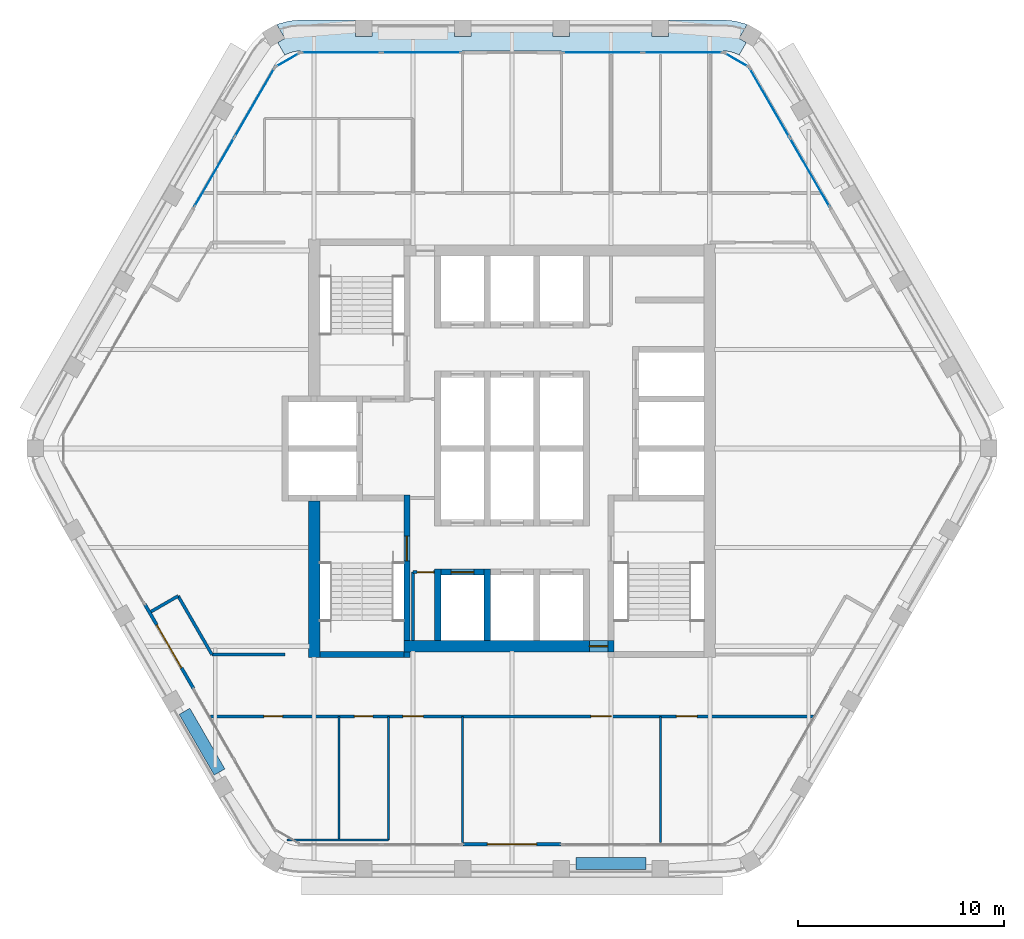
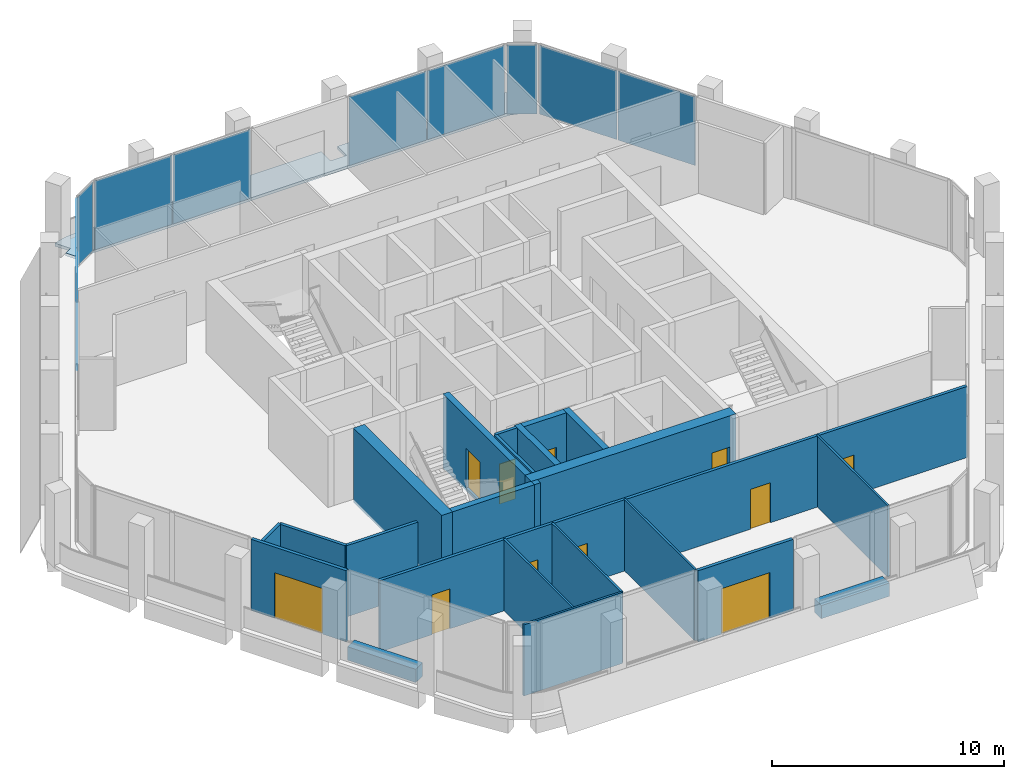
# One storey, part 7 of 13: 23 walls, 11 doors, 10 plates, 1 slab, 11 openings, 6 elements without a shape of their own.
"""IFC4 building model written with IfcOpenShell, lengths in metres."""

from ifc_helpers import new_model, si_unit, direction, frame, frame_2d, origin, origin_2d, place, context, subcontext, project, spatial, polyline, rectangle, outline, extrude, material, layer, layer_set, type_object, element, fill, aggregate, save


model = new_model("IFC4")

# Units and contexts
model_context = context("Model", 3, precision=1e-05, world=origin(), true_north=direction((0.0, 1.0)))
body_context = subcontext(model_context, "Body", "Model", "MODEL_VIEW")
ifc_project = project(units=[si_unit("LENGTHUNIT", "METRE"), si_unit("AREAUNIT", "SQUARE_METRE"), si_unit("VOLUMEUNIT", "CUBIC_METRE"), si_unit("PLANEANGLEUNIT", "RADIAN"), si_unit("MASSUNIT", "GRAM", prefix="KILO")], contexts=[model_context])

# Site, building, storey
site_placement = place(None, origin())
site = spatial("IfcSite", under=ifc_project, at=site_placement, CompositionType="ELEMENT")
building_placement = place(site_placement, origin())
building = spatial("IfcBuilding", under=site, at=building_placement, Name="Kolab Exchange Tower", CompositionType="ELEMENT")
storey_placement = place(building_placement, frame((0.0, 0.0, 226.699951171875)))
storey = spatial("IfcBuildingStorey", under=building, at=storey_placement, Name="L49", CompositionType="ELEMENT", Elevation=226.699951171875)

# Slab
ifc_material_1 = material(Name="Concrete C35/45", Category="concrete")
ifc_layer_1 = layer(ifc_material_1, 0.14990234375)
ifc_layer_set_1 = layer_set([ifc_layer_1], Name="Concrete C35/45")
slab_type = type_object("IfcSlabType", Name="LOGGIA SLAB 150", PredefinedType="FLOOR", material=ifc_layer_set_1)
slab_placement = place(storey_placement, frame((0.0, 0.0, -0.14990234375)))
element("IfcSlab", 1, at=slab_placement, inside=storey, type_object=slab_type, Name="slab/L49/loggia/0-0", PredefinedType="FLOOR", context=body_context, shape_type="SweptSolid", body=[
    extrude(outline(polyline([(11.01806640625, 19.083740234375), (11.367919921875, 19.68994140625), (11.021484375, 19.889892578125), (11.404052734375, 20.552490234375), (11.2939453125, 20.603759765625), (10.788818359375, 20.739013671875), (10.26806640625, 20.78466796875), (7.60009765625, 20.78466796875), (7.60009765625, 19.984619140625), (6.800048828125, 19.984619140625), (6.800048828125, 20.78466796875), (2.800048828125, 20.78466796875), (2.800048828125, 19.984619140625), (2.0, 19.984619140625), (2.0, 20.78466796875), (-2.0, 20.78466796875), (-2.0, 19.984619140625), (-2.800048828125, 19.984619140625), (-2.800048828125, 20.78466796875), (-6.800048828125, 20.78466796875), (-6.800048828125, 19.984619140625), (-7.60009765625, 19.984619140625), (-7.60009765625, 20.78466796875), (-10.26806640625, 20.78466796875), (-10.788818359375, 20.739013671875), (-11.2939453125, 20.603759765625), (-11.404052734375, 20.552490234375), (-11.021484375, 19.889892578125), (-11.367919921875, 19.68994140625), (-11.01806640625, 19.083740234375), (-10.781005859375, 19.194091796875), (-10.5283203125, 19.26171875), (-10.26806640625, 19.28466796875), (10.26806640625, 19.28466796875), (10.5283203125, 19.26171875), (10.781005859375, 19.194091796875), (11.01806640625, 19.083740234375)])), origin(), (0.0, 0.0, 1.0), 0.14990234375),
])

# Curtain wall, plates
ifc_material_2 = material(Name="Aluminium EN AW-6063 T6", Category="aluminium")
curtain_wall_type = type_object("IfcCurtainWallType", Name="UNITISED HIGH ZONE CURTAIN WALL", PredefinedType="NOTDEFINED", material=ifc_material_2)
curtain_wall_1_placement = place(storey_placement, origin())
curtain_wall_1 = element("IfcCurtainWall", 2, at=curtain_wall_1_placement, inside=storey, type_object=curtain_wall_type, Name="cw/L49/F1-1", PredefinedType="NOTDEFINED")
ifc_material_3 = material(Name="Clear insulated glazing unit", Category="glass")
ifc_layer_2 = layer(ifc_material_3, 0.030029296875)
ifc_layer_set_2 = layer_set([ifc_layer_2], Name="Clear insulated glazing unit")
plate_type = type_object("IfcPlateType", Name="UNITISED HIGH ZONE GLASS PANEL 30", PredefinedType="CURTAIN_PANEL", material=ifc_layer_set_2)
plate_1_placement = place(storey_placement, frame((-8.285888671875, 19.20458984375, 0.06005859375), z_axis=(0.0, 0.0, 1.0), x_axis=(1.0, 0.0, 0.0)))
plate_1 = element("IfcPlate", 3, at=plate_1_placement, type_object=plate_type, Name="CW4 panel 1.1", PredefinedType="CURTAIN_PANEL", context=body_context, shape_type="SweptSolid", body=[
    extrude(rectangle(XDim=3.843994140625, YDim=0.030029296875, at=origin_2d()), origin(), (0.0, 0.0, 1.0), 3.6298828125),
])
plate_2_placement = place(storey_placement, frame((-4.382080078125, 19.20458984375, 0.06005859375), z_axis=(0.0, 0.0, 1.0), x_axis=(1.0, 0.0, 0.0)))
plate_2 = element("IfcPlate", 4, at=plate_2_placement, type_object=plate_type, Name="CW4 panel 2.1", PredefinedType="CURTAIN_PANEL", context=body_context, shape_type="SweptSolid", body=[
    extrude(rectangle(XDim=3.843994140625, YDim=0.030029296875, at=origin_2d()), origin(), (0.0, 0.0, 1.0), 3.6298828125),
])
aggregate(curtain_wall_1, [plate_1, plate_2])

curtain_wall_2_placement = place(storey_placement, origin())
curtain_wall_2 = element("IfcCurtainWall", 5, at=curtain_wall_2_placement, inside=storey, type_object=curtain_wall_type, Name="cw/L49/F1-2", PredefinedType="NOTDEFINED")
plate_3_placement = place(storey_placement, frame((4.382080078125, 19.20458984375, 0.06005859375), z_axis=(0.0, 0.0, 1.0), x_axis=(1.0, 0.0, 0.0)))
plate_3 = element("IfcPlate", 6, at=plate_3_placement, type_object=plate_type, Name="CW4 panel 1.1", PredefinedType="CURTAIN_PANEL", context=body_context, shape_type="SweptSolid", body=[
    extrude(rectangle(XDim=3.843994140625, YDim=0.030029296875, at=origin_2d()), origin(), (0.0, 0.0, 1.0), 3.6298828125),
])
plate_4_placement = place(storey_placement, frame((8.285888671875, 19.20458984375, 0.06005859375), z_axis=(0.0, 0.0, 1.0), x_axis=(1.0, 0.0, 0.0)))
plate_4 = element("IfcPlate", 7, at=plate_4_placement, type_object=plate_type, Name="CW4 panel 2.1", PredefinedType="CURTAIN_PANEL", context=body_context, shape_type="SweptSolid", body=[
    extrude(rectangle(XDim=3.843994140625, YDim=0.030029296875, at=origin_2d()), origin(), (0.0, 0.0, 1.0), 3.6298828125),
])
aggregate(curtain_wall_2, [plate_3, plate_4])

curtain_wall_3_placement = place(storey_placement, origin())
curtain_wall_3 = element("IfcCurtainWall", 8, at=curtain_wall_3_placement, inside=storey, type_object=curtain_wall_type, Name="cw/L49/F2-1", PredefinedType="NOTDEFINED")
plate_5_placement = place(storey_placement, frame((12.48876953125, 16.778076171875, 0.06005859375), z_axis=(0.0, 0.0, 1.0), x_axis=(0.500000031681, -0.866025385493, 0.0)))
plate_5 = element("IfcPlate", 9, at=plate_5_placement, type_object=plate_type, Name="CW4 panel 1.1", PredefinedType="CURTAIN_PANEL", context=body_context, shape_type="SweptSolid", body=[
    extrude(rectangle(XDim=3.843994140625, YDim=0.030029296875, at=origin_2d()), origin(), (0.0, 0.0, 1.0), 3.6298828125),
])
plate_6_placement = place(storey_placement, frame((14.440673828125, 13.397216796875, 0.06005859375), z_axis=(0.0, 0.0, 1.0), x_axis=(0.500000031681, -0.866025385493, 0.0)))
plate_6 = element("IfcPlate", 10, at=plate_6_placement, type_object=plate_type, Name="CW4 panel 2.1", PredefinedType="CURTAIN_PANEL", context=body_context, shape_type="SweptSolid", body=[
    extrude(rectangle(XDim=3.843994140625, YDim=0.030029296875, at=origin_2d()), origin(), (0.0, 0.0, 1.0), 3.6298828125),
])
aggregate(curtain_wall_3, [plate_5, plate_6])

curtain_wall_4_placement = place(storey_placement, origin())
curtain_wall_4 = element("IfcCurtainWall", 11, at=curtain_wall_4_placement, inside=storey, type_object=curtain_wall_type, Name="cw/L49/F6-2", PredefinedType="NOTDEFINED")
plate_7_placement = place(storey_placement, frame((-14.440673828125, 13.397216796875, 0.06005859375), z_axis=(0.0, 0.0, 1.0), x_axis=(0.500000031681, 0.866025385493, 0.0)))
plate_7 = element("IfcPlate", 12, at=plate_7_placement, type_object=plate_type, Name="CW4 panel 1.1", PredefinedType="CURTAIN_PANEL", context=body_context, shape_type="SweptSolid", body=[
    extrude(rectangle(XDim=3.843994140625, YDim=0.030029296875, at=origin_2d()), origin(), (0.0, 0.0, 1.0), 3.6298828125),
])
plate_8_placement = place(storey_placement, frame((-12.48876953125, 16.778076171875, 0.06005859375), z_axis=(0.0, 0.0, 1.0), x_axis=(0.500000031681, 0.866025385493, 0.0)))
plate_8 = element("IfcPlate", 13, at=plate_8_placement, type_object=plate_type, Name="CW4 panel 2.1", PredefinedType="CURTAIN_PANEL", context=body_context, shape_type="SweptSolid", body=[
    extrude(rectangle(XDim=3.843994140625, YDim=0.030029296875, at=origin_2d()), origin(), (0.0, 0.0, 1.0), 3.6298828125),
])
aggregate(curtain_wall_4, [plate_7, plate_8])

# Curtain wall, plate
curtain_wall_5_placement = place(storey_placement, origin())
curtain_wall_5 = element("IfcCurtainWall", 14, at=curtain_wall_5_placement, inside=storey, type_object=curtain_wall_type, Name="cw/L49/F1F2-corner", PredefinedType="NOTDEFINED")
plate_9_placement = place(storey_placement, frame((10.8828125, 18.849609375, 0.06005859375), z_axis=(0.0, 0.0, 1.0), x_axis=(0.866025390869, -0.50000002237, 0.0)))
plate_9 = element("IfcPlate", 15, at=plate_9_placement, type_object=plate_type, Name="CW4 panel 1.1", PredefinedType="CURTAIN_PANEL", context=body_context, shape_type="SweptSolid", body=[
    extrude(rectangle(XDim=1.300048828125, YDim=0.030029296875, at=origin_2d()), origin(), (0.0, 0.0, 1.0), 3.6298828125),
])
aggregate(curtain_wall_5, [plate_9])

curtain_wall_6_placement = place(storey_placement, origin())
curtain_wall_6 = element("IfcCurtainWall", 16, at=curtain_wall_6_placement, inside=storey, type_object=curtain_wall_type, Name="cw/L49/F6F1-corner", PredefinedType="NOTDEFINED")
plate_10_placement = place(storey_placement, frame((-10.8828125, 18.849609375, 0.06005859375), z_axis=(0.0, 0.0, 1.0), x_axis=(0.866025390869, 0.50000002237, 0.0)))
plate_10 = element("IfcPlate", 17, at=plate_10_placement, type_object=plate_type, Name="CW4 panel 1.1", PredefinedType="CURTAIN_PANEL", context=body_context, shape_type="SweptSolid", body=[
    extrude(rectangle(XDim=1.300048828125, YDim=0.030029296875, at=origin_2d()), origin(), (0.0, 0.0, 1.0), 3.6298828125),
])
aggregate(curtain_wall_6, [plate_10])

# Wall, opening, door
ifc_material_4 = material(Name="Concrete C50/60", Category="concrete")
ifc_layer_3 = layer(ifc_material_4, 0.550048828125)
ifc_layer_set_3 = layer_set([ifc_layer_3], Name="Concrete C50/60")
wall_type_1 = type_object("IfcWallType", Name="CORE WALL 550 C50/60", PredefinedType="SHEAR", material=ifc_layer_set_3)
wall_1_placement = place(storey_placement, frame((-5.25, -9.60009765625, -0.14990234375), z_axis=(0.0, 0.0, 1.0), x_axis=(1.0, 0.0, 0.0)))
wall_1 = element("IfcWall", 18, at=wall_1_placement, inside=storey, type_object=wall_type_1, Name="wall/L49/core/002", PredefinedType="SHEAR", context=body_context, shape_type="SweptSolid", body=[
    extrude(rectangle(XDim=10.199951171875, YDim=0.550048828125, at=frame_2d((5.10009765625, 0.0))), origin(), (0.0, 0.0, 1.0), 3.89990234375),
])
opening_1_placement = place(wall_1_placement, frame((9.0, 0.0, 0.14990234375)))
opening_1 = element("IfcOpeningElement", 19, at=opening_1_placement, cuts=wall_1, Name="Opening D6-296", PredefinedType="OPENING", context=body_context, shape_type="SweptSolid", body=[
    extrude(rectangle(XDim=0.89990234375, YDim=2.10009765625, at=frame_2d((0.449951171875, 1.050048828125))), frame((0.0, 0.28515625, 0.0), z_axis=(0.0, -1.0, 0.0), x_axis=(1.0, 0.0, 0.0)), (0.0, 0.0, 1.0), 0.570068359375),
])
ifc_material_5 = material(Name="Steel S235", Category="steel")
door_type_1 = type_object("IfcDoorType", Name="CORE DOOR 900 EI 120", OperationType="SINGLE_SWING_LEFT", PredefinedType="DOOR", material=ifc_material_5)
door_1_placement = place(opening_1_placement, origin())
door_1 = element("IfcDoor", 20, at=door_1_placement, inside=storey, type_object=door_type_1, Name="Core lobby door", OperationType="SINGLE_SWING_LEFT", OverallHeight=2.10009765625, OverallWidth=0.89990234375, PredefinedType="DOOR", context=body_context, shape_type="SweptSolid", body=[
    extrude(rectangle(XDim=0.89990234375, YDim=2.10009765625, at=frame_2d((0.449951171875, 1.050048828125))), frame((0.0, 0.02490234375, 0.0), z_axis=(0.0, -1.0, 0.0), x_axis=(1.0, 0.0, 0.0)), (0.0, 0.0, 1.0), 0.050048828125),
])
fill(opening_1, door_1)

# Wall
wall_2_placement = place(storey_placement, frame((-9.60009765625, -10.14990234375, -0.14990234375), z_axis=(0.0, 0.0, 1.0), x_axis=(0.0, 1.0, 0.0)))
element("IfcWall", 21, at=wall_2_placement, inside=storey, type_object=wall_type_1, Name="wall/L49/core/034", PredefinedType="SHEAR", context=body_context, shape_type="SweptSolid", body=[
    extrude(rectangle(XDim=7.599853515625, YDim=0.550048828125, at=frame_2d((3.7998046875, 0.0))), origin(), (0.0, 0.0, 1.0), 3.89990234375),
])

# Wall, opening, door
ifc_layer_4 = layer(ifc_material_2, 0.159912109375)
ifc_layer_set_4 = layer_set([ifc_layer_4], Name="Aluminium EN AW-6063 T6")
wall_type_2 = type_object("IfcWallType", Name="DOOR SURROUND WALL 160 ALUMINIUM FRAMED", PredefinedType="PARTITIONING", material=ifc_layer_set_4)
wall_3_placement = place(storey_placement, frame((2.3701171875, -19.20458984375, 0.0), z_axis=(0.0, 0.0, 1.0), x_axis=(-1.0, 0.0, 0.0)))
wall_3 = element("IfcWall", 22, at=wall_3_placement, inside=storey, type_object=wall_type_2, Name="Door surround wall", PredefinedType="PARTITIONING", context=body_context, shape_type="SweptSolid", body=[
    extrude(rectangle(XDim=4.740234375, YDim=0.159912109375, at=frame_2d((2.3701171875, 0.0))), origin(), (0.0, 0.0, 1.0), 3.75),
])
opening_2_placement = place(wall_3_placement, frame((1.169921875, 0.0, 0.0)))
opening_2 = element("IfcOpeningElement", 23, at=opening_2_placement, cuts=wall_3, Name="Opening GD1-092", PredefinedType="OPENING", context=body_context, shape_type="SweptSolid", body=[
    extrude(rectangle(XDim=2.39990234375, YDim=2.39990234375, at=frame_2d((1.199951171875, 1.199951171875))), frame((0.0, 0.08984375, 0.0), z_axis=(0.0, -1.0, 0.0), x_axis=(1.0, 0.0, 0.0)), (0.0, 0.0, 1.0), 0.179931640625),
])
door_type_2 = type_object("IfcDoorType", Name="LOGGIA SLIDING GLASS DOOR 2400 X 2400", OperationType="DOUBLE_DOOR_SINGLE_SWING", PredefinedType="DOOR", material=ifc_material_2)
door_2_placement = place(opening_2_placement, origin())
door_2 = element("IfcDoor", 24, at=door_2_placement, inside=storey, type_object=door_type_2, Name="Loggia door", OperationType="DOUBLE_DOOR_SLIDING", OverallHeight=2.39990234375, OverallWidth=2.39990234375, PredefinedType="DOOR", context=body_context, shape_type="SweptSolid", body=[
    extrude(rectangle(XDim=2.39990234375, YDim=2.39990234375, at=frame_2d((1.199951171875, 1.199951171875))), frame((0.0, 0.02490234375, 0.0), z_axis=(0.0, -1.0, 0.0), x_axis=(1.0, 0.0, 0.0)), (0.0, 0.0, 1.0), 0.050048828125),
])
fill(opening_2, door_2)

wall_4_placement = place(storey_placement, frame((-15.44677734375, -11.65478515625, 0.0), z_axis=(0.0, 0.0, 1.0), x_axis=(-0.499978080042, 0.866038058908, 0.0)))
wall_4 = element("IfcWall", 25, at=wall_4_placement, inside=storey, type_object=wall_type_2, Name="Door surround wall", PredefinedType="PARTITIONING", context=body_context, shape_type="SweptSolid", body=[
    extrude(rectangle(XDim=4.739990234375, YDim=0.159912109375, at=frame_2d((2.3701171875, 0.0))), origin(), (0.0, 0.0, 1.0), 3.75),
])
opening_3_placement = place(wall_4_placement, frame((1.169921875, 0.0, 0.0)))
opening_3 = element("IfcOpeningElement", 26, at=opening_3_placement, cuts=wall_4, Name="Opening GD1-093", PredefinedType="OPENING", context=body_context, shape_type="SweptSolid", body=[
    extrude(rectangle(XDim=2.39990234375, YDim=2.39990234375, at=frame_2d((1.199951171875, 1.199951171875))), frame((0.0, 0.08984375, 0.0), z_axis=(0.0, -1.0, 0.0), x_axis=(1.0, 0.0, 0.0)), (0.0, 0.0, 1.0), 0.179931640625),
])
door_3_placement = place(opening_3_placement, origin())
door_3 = element("IfcDoor", 27, at=door_3_placement, inside=storey, type_object=door_type_2, Name="Loggia door", OperationType="DOUBLE_DOOR_SLIDING", OverallHeight=2.39990234375, OverallWidth=2.39990234375, PredefinedType="DOOR", context=body_context, shape_type="SweptSolid", body=[
    extrude(rectangle(XDim=2.39990234375, YDim=2.39990234375, at=frame_2d((1.199951171875, 1.199951171875))), frame((0.0, 0.02490234375, 0.0), z_axis=(0.0, -1.0, 0.0), x_axis=(1.0, 0.0, 0.0)), (0.0, 0.0, 1.0), 0.050048828125),
])
fill(opening_3, door_3)

ifc_layer_5 = layer(ifc_material_4, 0.300048828125)
ifc_layer_set_5 = layer_set([ifc_layer_5], Name="Concrete C50/60")
wall_type_3 = type_object("IfcWallType", Name="LIFT SHAFT WALL 300 C50/60", PredefinedType="STANDARD", material=ifc_layer_set_5)
wall_5_placement = place(storey_placement, frame((-3.449951171875, -6.0, -0.14990234375), z_axis=(0.0, 0.0, 1.0), x_axis=(1.0, 0.0, 0.0)))
wall_5 = element("IfcWall", 28, at=wall_5_placement, inside=storey, type_object=wall_type_3, Name="wall/L49/core/003", PredefinedType="STANDARD", context=body_context, shape_type="SweptSolid", body=[
    extrude(rectangle(XDim=2.099853515625, YDim=0.300048828125, at=frame_2d((1.0498046875, 0.0))), origin(), (0.0, 0.0, 1.0), 3.89990234375),
])
opening_4_placement = place(wall_5_placement, frame((0.5, 0.0, 0.14990234375)))
opening_4 = element("IfcOpeningElement", 29, at=opening_4_placement, cuts=wall_5, Name="Opening LD1-110", PredefinedType="OPENING", context=body_context, shape_type="SweptSolid", body=[
    extrude(rectangle(XDim=1.10009765625, YDim=2.10009765625, at=frame_2d((0.550048828125, 1.050048828125))), frame((0.0, 0.16015625, 0.0), z_axis=(0.0, -1.0, 0.0), x_axis=(1.0, 0.0, 0.0)), (0.0, 0.0, 1.0), 0.320068359375),
])
ifc_material_6 = material(Name="Stainless steel 316", Category="steel")
door_type_3 = type_object("IfcDoorType", Name="LANDING DOOR 1100 PASSENGER", OperationType="DOUBLE_DOOR_SLIDING", PredefinedType="DOOR", material=ifc_material_6)
door_4_placement = place(opening_4_placement, origin())
door_4 = element("IfcDoor", 30, at=door_4_placement, inside=storey, type_object=door_type_3, Name="Landing door HR10", OperationType="DOUBLE_DOOR_SLIDING", OverallHeight=2.10009765625, OverallWidth=1.10009765625, PredefinedType="DOOR", context=body_context, shape_type="SweptSolid", body=[
    extrude(rectangle(XDim=1.10009765625, YDim=2.10009765625, at=frame_2d((0.550048828125, 1.050048828125))), frame((0.0, 0.02490234375, 0.0), z_axis=(0.0, -1.0, 0.0), x_axis=(1.0, 0.0, 0.0)), (0.0, 0.0, 1.0), 0.050048828125),
])
fill(opening_4, door_4)

# Walls
for number, where, z_axis, x_axis, name in (
    (31, (-3.60009765625, -9.324951171875, -0.14990234375), (0.0, 0.0, 1.0), (0.0, 1.0, 0.0), "wall/L49/core/043"),
    (32, (-1.199951171875, -9.324951171875, -0.14990234375), (0.0, 0.0, 1.0), (0.0, 1.0, 0.0), "wall/L49/core/046"),
):
    element("IfcWall", number, at=place(storey_placement, frame(where, z_axis=z_axis, x_axis=x_axis)), inside=storey, type_object=wall_type_3, Name=name, PredefinedType="STANDARD", context=body_context, shape_type="SweptSolid", body=[
        extrude(rectangle(XDim=3.474853515625, YDim=0.300048828125, at=frame_2d((1.7373046875, 0.0))), origin(), (0.0, 0.0, 1.0), 3.89990234375),
    ])
ifc_material_7 = material(Name="Gypsum board", Category="gypsum")
ifc_layer_6 = layer(ifc_material_7, 0.10009765625)
ifc_layer_set_6 = layer_set([ifc_layer_6], Name="Gypsum board")
wall_type_4 = type_object("IfcWallType", Name="PARTITION 100", PredefinedType="PARTITIONING", material=ifc_layer_set_6)
wall_6_placement = place(storey_placement, frame((7.199951171875, -19.114501953125, 0.0), z_axis=(0.0, 0.0, 1.0), x_axis=(0.0, 1.0, 0.0)))
element("IfcWall", 33, at=wall_6_placement, inside=storey, type_object=wall_type_4, Name="Partition 001", PredefinedType="PARTITIONING", context=body_context, shape_type="SweptSolid", body=[
    extrude(rectangle(XDim=6.114501953125, YDim=0.10009765625, at=frame_2d((3.05712890625, 0.0))), origin(), (0.0, 0.0, 1.0), 3.75),
])
wall_7_placement = place(storey_placement, frame((-2.39990234375, -19.12451171875, 0.0), z_axis=(0.0, 0.0, 1.0), x_axis=(0.0, 1.0, 0.0)))
element("IfcWall", 34, at=wall_7_placement, inside=storey, type_object=wall_type_4, Name="Partition 006", PredefinedType="PARTITIONING", context=body_context, shape_type="SweptSolid", body=[
    extrude(rectangle(XDim=6.12451171875, YDim=0.10009765625, at=frame_2d((3.062255859375, 0.0))), origin(), (0.0, 0.0, 1.0), 3.75),
])
for number, where, z_axis, x_axis, name in (
    (35, (-6.0, -19.0, 0.0), (0.0, 0.0, 1.0), (0.0, 1.0, 0.0), "Partition 010"),
    (36, (-8.39990234375, -19.0, 0.0), (0.0, 0.0, 1.0), (0.0, 1.0, 0.0), "Partition 011"),
):
    element("IfcWall", number, at=place(storey_placement, frame(where, z_axis=z_axis, x_axis=x_axis)), inside=storey, type_object=wall_type_4, Name=name, PredefinedType="PARTITIONING", context=body_context, shape_type="SweptSolid", body=[
        extrude(rectangle(XDim=6.0, YDim=0.10009765625, at=frame_2d((3.0, 0.0))), origin(), (0.0, 0.0, 1.0), 3.75),
    ])
wall_8_placement = place(storey_placement, frame((-10.913330078125, -19.0, 0.0), z_axis=(0.0, 0.0, 1.0), x_axis=(1.0, 0.0, 0.0)))
element("IfcWall", 37, at=wall_8_placement, inside=storey, type_object=wall_type_4, Name="Partition 022", PredefinedType="PARTITIONING", context=body_context, shape_type="SweptSolid", body=[
    extrude(rectangle(XDim=4.913330078125, YDim=0.10009765625, at=frame_2d((2.45654296875, 0.0))), origin(), (0.0, 0.0, 1.0), 3.75),
])
ifc_layer_7 = layer(ifc_material_7, 0.14990234375)
ifc_layer_set_7 = layer_set([ifc_layer_7], Name="Gypsum board")
wall_type_5 = type_object("IfcWallType", Name="PARTITION 150 FIRE-RATED", PredefinedType="PARTITIONING", material=ifc_layer_set_7)
wall_9_placement = place(storey_placement, frame((-4.800048828125, -9.324951171875, 0.0), z_axis=(0.0, 0.0, 1.0), x_axis=(0.0, 1.0, 0.0)))
element("IfcWall", 38, at=wall_9_placement, inside=storey, type_object=wall_type_5, Name="Partition 009", PredefinedType="PARTITIONING", context=body_context, shape_type="SweptSolid", body=[
    extrude(rectangle(XDim=3.324951171875, YDim=0.14990234375, at=frame_2d((1.66259765625, 0.0))), origin(), (0.0, 0.0, 1.0), 3.75),
])
wall_10_placement = place(storey_placement, frame((-16.196044921875, -7.15673828125, 0.0), z_axis=(0.0, 0.0, 1.0), x_axis=(0.499954196102, -0.866051847062, 0.0)))
element("IfcWall", 39, at=wall_10_placement, inside=storey, type_object=wall_type_5, Name="Partition 014", PredefinedType="PARTITIONING", context=body_context, shape_type="SweptSolid", body=[
    extrude(rectangle(XDim=3.282958984375, YDim=0.14990234375, at=frame_2d((1.6416015625, 0.0))), origin(), (0.0, 0.0, 1.0), 3.75),
])
wall_11_placement = place(storey_placement, frame((-17.512451171875, -7.9169921875, 0.0), z_axis=(0.0, 0.0, 1.0), x_axis=(0.865960906633, 0.500111695708, 0.0)))
element("IfcWall", 40, at=wall_11_placement, inside=storey, type_object=wall_type_5, Name="Partition 021", PredefinedType="PARTITIONING", context=body_context, shape_type="SweptSolid", body=[
    extrude(rectangle(XDim=1.520263671875, YDim=0.14990234375, at=frame_2d((0.76025390625, 0.0))), origin(), (0.0, 0.0, 1.0), 3.75),
])

# Wall, openings, doors
wall_12_placement = place(storey_placement, frame((-14.623779296875, -13.0, 0.0), z_axis=(0.0, 0.0, 1.0), x_axis=(1.0, 0.0, 0.0)))
wall_12 = element("IfcWall", 41, at=wall_12_placement, inside=storey, type_object=wall_type_5, Name="Partition 023", PredefinedType="PARTITIONING", context=body_context, shape_type="SweptSolid", body=[
    extrude(rectangle(XDim=29.24755859375, YDim=0.14990234375, at=frame_2d((14.623779296875, 0.0))), origin(), (0.0, 0.0, 1.0), 3.75),
])
opening_5_placement = place(wall_12_placement, frame((2.592529296875, 0.0, 0.0)))
opening_5 = element("IfcOpeningElement", 42, at=opening_5_placement, cuts=wall_12, Name="Opening D3-074", PredefinedType="OPENING", context=body_context, shape_type="SweptSolid", body=[
    extrude(rectangle(XDim=0.89990234375, YDim=2.10009765625, at=frame_2d((0.449951171875, 1.050048828125))), frame((0.0, 0.0849609375, 0.0), z_axis=(0.0, -1.0, 0.0), x_axis=(1.0, 0.0, 0.0)), (0.0, 0.0, 1.0), 0.169921875),
])
opening_6_placement = place(wall_12_placement, frame((6.973876953125, 0.0, 0.0)))
opening_6 = element("IfcOpeningElement", 43, at=opening_6_placement, cuts=wall_12, Name="Opening D3-075", PredefinedType="OPENING", context=body_context, shape_type="SweptSolid", body=[
    extrude(rectangle(XDim=0.89990234375, YDim=2.10009765625, at=frame_2d((0.449951171875, 1.050048828125))), frame((0.0, 0.0849609375, 0.0), z_axis=(0.0, -1.0, 0.0), x_axis=(1.0, 0.0, 0.0)), (0.0, 0.0, 1.0), 0.169921875),
])
opening_7_placement = place(wall_12_placement, frame((9.328857421875, 0.0, 0.0)))
opening_7 = element("IfcOpeningElement", 44, at=opening_7_placement, cuts=wall_12, Name="Opening D1-651", PredefinedType="OPENING", context=body_context, shape_type="SweptSolid", body=[
    extrude(rectangle(XDim=1.0, YDim=2.10009765625, at=frame_2d((0.5, 1.050048828125))), frame((0.0, 0.0849609375, 0.0), z_axis=(0.0, -1.0, 0.0), x_axis=(1.0, 0.0, 0.0)), (0.0, 0.0, 1.0), 0.169921875),
])
opening_8_placement = place(wall_12_placement, frame((18.44873046875, 0.0, 0.0)))
opening_8 = element("IfcOpeningElement", 45, at=opening_8_placement, cuts=wall_12, Name="Opening D1-652", PredefinedType="OPENING", context=body_context, shape_type="SweptSolid", body=[
    extrude(rectangle(XDim=1.0, YDim=2.10009765625, at=frame_2d((0.5, 1.050048828125))), frame((0.0, 0.0849609375, 0.0), z_axis=(0.0, -1.0, 0.0), x_axis=(1.0, 0.0, 0.0)), (0.0, 0.0, 1.0), 0.169921875),
])
opening_9_placement = place(wall_12_placement, frame((22.603759765625, 0.0, 0.0)))
opening_9 = element("IfcOpeningElement", 46, at=opening_9_placement, cuts=wall_12, Name="Opening D1-653", PredefinedType="OPENING", context=body_context, shape_type="SweptSolid", body=[
    extrude(rectangle(XDim=1.0, YDim=2.10009765625, at=frame_2d((0.5, 1.050048828125))), frame((0.0, 0.0849609375, 0.0), z_axis=(0.0, -1.0, 0.0), x_axis=(1.0, 0.0, 0.0)), (0.0, 0.0, 1.0), 0.169921875),
])
door_type_4 = type_object("IfcDoorType", Name="FLUSH DOOR 1000 FD60", OperationType="SINGLE_SWING_LEFT", PredefinedType="DOOR", material=ifc_material_5)
door_5_placement = place(opening_7_placement, frame((1.0, 0.0, 0.0), z_axis=(0.0, 0.0, 1.0), x_axis=(-1.0, 0.0, 0.0)))
door_5 = element("IfcDoor", 47, at=door_5_placement, inside=storey, type_object=door_type_4, Name="Door L49-039", OperationType="SINGLE_SWING_LEFT", OverallHeight=2.10009765625, OverallWidth=1.0, PredefinedType="DOOR", context=body_context, shape_type="SweptSolid", body=[
    extrude(rectangle(XDim=1.0, YDim=2.10009765625, at=frame_2d((0.5, 1.050048828125))), frame((0.0, 0.02490234375, 0.0), z_axis=(0.0, -1.0, 0.0), x_axis=(1.0, 0.0, 0.0)), (0.0, 0.0, 1.0), 0.050048828125),
])
fill(opening_7, door_5)
door_6_placement = place(opening_8_placement, frame((1.0, 0.0, 0.0), z_axis=(0.0, 0.0, 1.0), x_axis=(-1.0, 0.0, 0.0)))
door_6 = element("IfcDoor", 48, at=door_6_placement, inside=storey, type_object=door_type_4, Name="Door L49-040", OperationType="SINGLE_SWING_RIGHT", OverallHeight=2.10009765625, OverallWidth=1.0, PredefinedType="DOOR", context=body_context, shape_type="SweptSolid", body=[
    extrude(rectangle(XDim=1.0, YDim=2.10009765625, at=frame_2d((0.5, 1.050048828125))), frame((0.0, 0.02490234375, 0.0), z_axis=(0.0, -1.0, 0.0), x_axis=(1.0, 0.0, 0.0)), (0.0, 0.0, 1.0), 0.050048828125),
])
fill(opening_8, door_6)
door_7_placement = place(opening_9_placement, frame((1.0, 0.0, 0.0), z_axis=(0.0, 0.0, 1.0), x_axis=(-1.0, 0.0, 0.0)))
door_7 = element("IfcDoor", 49, at=door_7_placement, inside=storey, type_object=door_type_4, Name="Door L49-041", OperationType="SINGLE_SWING_LEFT", OverallHeight=2.10009765625, OverallWidth=1.0, PredefinedType="DOOR", context=body_context, shape_type="SweptSolid", body=[
    extrude(rectangle(XDim=1.0, YDim=2.10009765625, at=frame_2d((0.5, 1.050048828125))), frame((0.0, 0.02490234375, 0.0), z_axis=(0.0, -1.0, 0.0), x_axis=(1.0, 0.0, 0.0)), (0.0, 0.0, 1.0), 0.050048828125),
])
fill(opening_9, door_7)
door_type_5 = type_object("IfcDoorType", Name="FLUSH DOOR 900 FD60", OperationType="SINGLE_SWING_LEFT", PredefinedType="DOOR", material=ifc_material_5)
door_8_placement = place(opening_5_placement, frame((0.89990234375, 0.0, 0.0), z_axis=(0.0, 0.0, 1.0), x_axis=(-1.0, 0.0, 0.0)))
door_8 = element("IfcDoor", 50, at=door_8_placement, inside=storey, type_object=door_type_5, Name="Door L49-037", OperationType="SINGLE_SWING_LEFT", OverallHeight=2.10009765625, OverallWidth=0.89990234375, PredefinedType="DOOR", context=body_context, shape_type="SweptSolid", body=[
    extrude(rectangle(XDim=0.89990234375, YDim=2.10009765625, at=frame_2d((0.449951171875, 1.050048828125))), frame((0.0, 0.02490234375, 0.0), z_axis=(0.0, -1.0, 0.0), x_axis=(1.0, 0.0, 0.0)), (0.0, 0.0, 1.0), 0.050048828125),
])
fill(opening_5, door_8)
door_9_placement = place(opening_6_placement, frame((0.89990234375, 0.0, 0.0), z_axis=(0.0, 0.0, 1.0), x_axis=(-1.0, 0.0, 0.0)))
door_9 = element("IfcDoor", 51, at=door_9_placement, inside=storey, type_object=door_type_5, Name="Door L49-038", OperationType="SINGLE_SWING_RIGHT", OverallHeight=2.10009765625, OverallWidth=0.89990234375, PredefinedType="DOOR", context=body_context, shape_type="SweptSolid", body=[
    extrude(rectangle(XDim=0.89990234375, YDim=2.10009765625, at=frame_2d((0.449951171875, 1.050048828125))), frame((0.0, 0.02490234375, 0.0), z_axis=(0.0, -1.0, 0.0), x_axis=(1.0, 0.0, 0.0)), (0.0, 0.0, 1.0), 0.050048828125),
])
fill(opening_6, door_9)

# Wall
wall_13_placement = place(storey_placement, frame((-14.5546875, -10.0, 0.0), z_axis=(0.0, 0.0, 1.0), x_axis=(1.0, 0.0, 0.0)))
element("IfcWall", 52, at=wall_13_placement, inside=storey, type_object=wall_type_5, Name="Partition 024", PredefinedType="PARTITIONING", context=body_context, shape_type="SweptSolid", body=[
    extrude(rectangle(XDim=3.5546875, YDim=0.14990234375, at=frame_2d((1.77734375, 0.0))), origin(), (0.0, 0.0, 1.0), 3.75),
])

# Wall, opening, door
wall_14_placement = place(storey_placement, frame((-4.800048828125, -6.0, 0.0), z_axis=(0.0, 0.0, 1.0), x_axis=(1.0, 0.0, 0.0)))
wall_14 = element("IfcWall", 53, at=wall_14_placement, inside=storey, type_object=wall_type_5, Name="Partition 026", PredefinedType="PARTITIONING", context=body_context, shape_type="SweptSolid", body=[
    extrude(rectangle(XDim=1.050048828125, YDim=0.14990234375, at=frame_2d((0.52490234375, 0.0))), origin(), (0.0, 0.0, 1.0), 3.75),
])
opening_10_placement = place(wall_14_placement, frame((0.199951171875, 0.0, 0.0)))
opening_10 = element("IfcOpeningElement", 54, at=opening_10_placement, cuts=wall_14, Name="Opening D7-034", PredefinedType="OPENING", context=body_context, shape_type="SweptSolid", body=[
    extrude(rectangle(XDim=0.800048828125, YDim=2.10009765625, at=frame_2d((0.39990234375, 1.050048828125))), frame((0.0, 0.0849609375, 0.0), z_axis=(0.0, -1.0, 0.0), x_axis=(1.0, 0.0, 0.0)), (0.0, 0.0, 1.0), 0.169921875),
])
door_type_6 = type_object("IfcDoorType", Name="FLUSH DOOR 800 FD60", OperationType="SINGLE_SWING_LEFT", PredefinedType="DOOR", material=ifc_material_5)
door_10_placement = place(opening_10_placement, frame((0.800048828125, 0.0, 0.0), z_axis=(0.0, 0.0, 1.0), x_axis=(-1.0, 0.0, 0.0)))
door_10 = element("IfcDoor", 55, at=door_10_placement, inside=storey, type_object=door_type_6, Name="Door L49-024", OperationType="SINGLE_SWING_RIGHT", OverallHeight=2.10009765625, OverallWidth=0.800048828125, PredefinedType="DOOR", context=body_context, shape_type="SweptSolid", body=[
    extrude(rectangle(XDim=0.800048828125, YDim=2.10009765625, at=frame_2d((0.39990234375, 1.050048828125))), frame((0.0, 0.02490234375, 0.0), z_axis=(0.0, -1.0, 0.0), x_axis=(1.0, 0.0, 0.0)), (0.0, 0.0, 1.0), 0.050048828125),
])
fill(opening_10, door_10)

# Walls
ifc_material_8 = material(Name="Granite facing", Category="masonry")
ifc_layer_8 = layer(ifc_material_8, 0.0400390625)
ifc_material_9 = material(Name="Concrete C40/50 precast", Category="concrete")
ifc_layer_9 = layer(ifc_material_9, 0.56005859375)
ifc_layer_set_8 = layer_set([ifc_layer_8, ifc_layer_9], Name="Concrete C40/50 precast")
wall_type_6 = type_object("IfcWallType", Name="PLANTER BOX 600 X 700 SOIL DEPTH 550", PredefinedType="USERDEFINED", material=ifc_layer_set_8)
wall_15_placement = place(storey_placement, frame((6.5, -20.134521484375, 0.0), z_axis=(0.0, 0.0, 1.0), x_axis=(-1.0, 0.0, 0.0)))
element("IfcWall", 56, at=wall_15_placement, inside=storey, type_object=wall_type_6, Name="Planter", ObjectType="PLANTER", PredefinedType="USERDEFINED", context=body_context, shape_type="SweptSolid", body=[
    extrude(rectangle(XDim=3.39990234375, YDim=0.60009765625, at=frame_2d((1.699951171875, 0.0))), origin(), (0.0, 0.0, 1.0), 0.699951171875),
])
wall_16_placement = place(storey_placement, frame((-14.18701171875, -15.696533203125, 0.0), z_axis=(0.0, 0.0, 1.0), x_axis=(-0.499977295307, 0.866038511948, 0.0)))
element("IfcWall", 57, at=wall_16_placement, inside=storey, type_object=wall_type_6, Name="Planter", ObjectType="PLANTER", PredefinedType="USERDEFINED", context=body_context, shape_type="SweptSolid", body=[
    extrude(rectangle(XDim=3.400146484375, YDim=0.60009765625, at=frame_2d((1.7001953125, 0.0))), origin(), (0.0, 0.0, 1.0), 0.699951171875),
])
ifc_layer_10 = layer(ifc_material_4, 0.300048828125)
ifc_layer_set_9 = layer_set([ifc_layer_10], Name="Concrete C50/60")
wall_type_7 = type_object("IfcWallType", Name="STAIR ENCLOSURE WALL 300 C50/60", PredefinedType="STANDARD", material=ifc_layer_set_9)
wall_17_placement = place(storey_placement, frame((-9.324951171875, -10.0, -0.14990234375), z_axis=(0.0, 0.0, 1.0), x_axis=(1.0, 0.0, 0.0)))
element("IfcWall", 58, at=wall_17_placement, inside=storey, type_object=wall_type_7, Name="wall/L49/core/000", PredefinedType="STANDARD", context=body_context, shape_type="SweptSolid", body=[
    extrude(rectangle(XDim=4.074951171875, YDim=0.300048828125, at=frame_2d((2.03759765625, 0.0))), origin(), (0.0, 0.0, 1.0), 3.89990234375),
])
wall_18_placement = place(storey_placement, frame((-5.10009765625, -10.14990234375, -0.14990234375), z_axis=(0.0, 0.0, 1.0), x_axis=(0.0, 1.0, 0.0)))
element("IfcWall", 59, at=wall_18_placement, inside=storey, type_object=wall_type_7, Name="wall/L49/core/039", PredefinedType="STANDARD", context=body_context, shape_type="SweptSolid", body=[
    extrude(rectangle(XDim=0.27490234375, YDim=0.300048828125, at=frame_2d((0.137451171875, 0.0))), origin(), (0.0, 0.0, 1.0), 3.89990234375),
])

# Wall, opening, door
wall_19_placement = place(storey_placement, frame((-5.10009765625, -9.324951171875, -0.14990234375), z_axis=(0.0, 0.0, 1.0), x_axis=(0.0, 1.0, 0.0)))
wall_19 = element("IfcWall", 60, at=wall_19_placement, inside=storey, type_object=wall_type_7, Name="wall/L49/core/040", PredefinedType="STANDARD", context=body_context, shape_type="SweptSolid", body=[
    extrude(rectangle(XDim=7.074951171875, YDim=0.300048828125, at=frame_2d((3.53759765625, 0.0))), origin(), (0.0, 0.0, 1.0), 3.89990234375),
])
opening_11_placement = place(wall_19_placement, frame((3.875, 0.0, 0.14990234375)))
opening_11 = element("IfcOpeningElement", 61, at=opening_11_placement, cuts=wall_19, Name="Opening D4-078", PredefinedType="OPENING", context=body_context, shape_type="SweptSolid", body=[
    extrude(rectangle(XDim=1.199951171875, YDim=2.10009765625, at=frame_2d((0.60009765625, 1.050048828125))), frame((0.0, 0.16015625, 0.0), z_axis=(0.0, -1.0, 0.0), x_axis=(1.0, 0.0, 0.0)), (0.0, 0.0, 1.0), 0.320068359375),
])
door_type_7 = type_object("IfcDoorType", Name="STAIR DOOR 1200 EI 120", OperationType="SINGLE_SWING_LEFT", PredefinedType="DOOR", material=ifc_material_5)
door_11_placement = place(opening_11_placement, origin())
door_11 = element("IfcDoor", 62, at=door_11_placement, inside=storey, type_object=door_type_7, Name="Stair 3 door", OperationType="SINGLE_SWING_RIGHT", OverallHeight=2.10009765625, OverallWidth=1.199951171875, PredefinedType="DOOR", context=body_context, shape_type="SweptSolid", body=[
    extrude(rectangle(XDim=1.199951171875, YDim=2.10009765625, at=frame_2d((0.60009765625, 1.050048828125))), frame((0.0, 0.02490234375, 0.0), z_axis=(0.0, -1.0, 0.0), x_axis=(1.0, 0.0, 0.0)), (0.0, 0.0, 1.0), 0.050048828125),
])
fill(opening_11, door_11)

save(model, "model.ifc")
